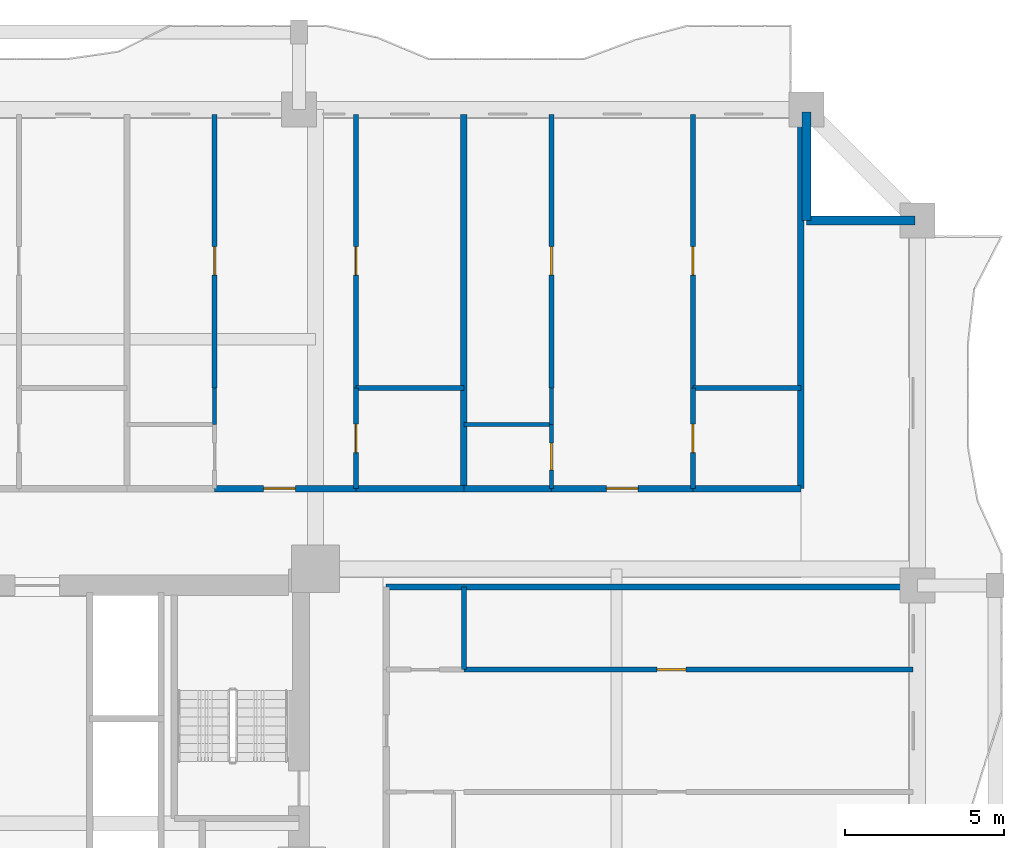
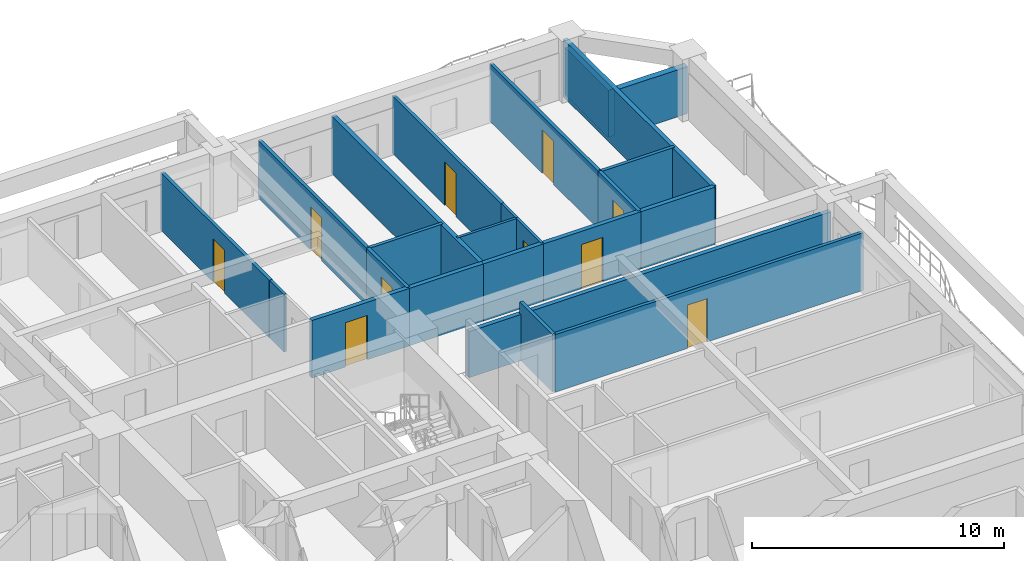
# One storey, part 8 of 16: 24 walls, 10 doors, 10 openings.
"""IFC4 building model written with IfcOpenShell, lengths in metres."""

from ifc_helpers import new_model, si_unit, direction, frame, frame_2d, origin, place, context, subcontext, project, spatial, rectangle, extrude, source, transform, mapped, material, layer, layer_set, type_object, element, fill, save


model = new_model("IFC4")

# Units and contexts
model_context = context("Model", 3, precision=1e-05, world=origin(), true_north=direction((0.0, 1.0)))
body_context = subcontext(model_context, "Body", "Model", "MODEL_VIEW")
ifc_project = project(units=[si_unit("LENGTHUNIT", "METRE"), si_unit("AREAUNIT", "SQUARE_METRE"), si_unit("VOLUMEUNIT", "CUBIC_METRE"), si_unit("PLANEANGLEUNIT", "RADIAN"), si_unit("MASSUNIT", "GRAM", prefix="KILO")], contexts=[model_context])

# Site, building, storey
site_placement = place(None, origin())
site = spatial("IfcSite", under=ifc_project, at=site_placement, CompositionType="ELEMENT")
building_placement = place(site_placement, origin())
building = spatial("IfcBuilding", under=site, at=building_placement, Name="Saelheon Loggia Tower", CompositionType="ELEMENT")
storey_placement = place(building_placement, frame((0.0, 0.0, 28.39990234375)))
storey = spatial("IfcBuildingStorey", under=building, at=storey_placement, Name="L08", CompositionType="ELEMENT", Elevation=28.39990234375)

# Walls
ifc_material_1 = material(Name="Architectural Precast Concrete C40/50", Category="concrete")
ifc_layer_1 = layer(ifc_material_1, 0.280029296875)
ifc_layer_set_1 = layer_set([ifc_layer_1], Name="Architectural Precast Concrete C40/50")
wall_type_1 = type_object("IfcWallType", Name="Wall_Ext_Loggia_280", PredefinedType="SOLIDWALL", material=ifc_layer_set_1)
for number, where, z_axis, x_axis, name in (
    (1, (60.5, 47.5, 0.0), (0.0, 0.0, 1.0), (0.0, 1.0, 0.0), "L08 Corner Notch Precast Wall NE1"),
    (2, (60.5, 47.5, 0.0), (0.0, 0.0, 1.0), (1.0, 0.0, 0.0), "L08 Corner Notch Precast Wall NE2"),
):
    element("IfcWall", number, at=place(storey_placement, frame(where, z_axis=z_axis, x_axis=x_axis)), inside=storey, type_object=wall_type_1, Name=name, PredefinedType="SOLIDWALL", context=body_context, shape_type="SweptSolid", body=[
        extrude(rectangle(XDim=3.419921875, YDim=0.280029296875, at=frame_2d((1.7099609375, 0.0))), origin(), (0.0, 0.0, 1.0), 2.280029296875),
    ])
ifc_material_2 = material(Name="Lightweight Autoclaved Aerated Concrete Block and Acoustic Gypsum", Category="concrete")
ifc_layer_2 = layer(ifc_material_2, 0.14990234375)
ifc_layer_set_2 = layer_set([ifc_layer_2], Name="Lightweight Autoclaved Aerated Concrete Block and Acoustic Gypsum")
wall_type_2 = type_object("IfcWallType", Name="Wall_Part_150", PredefinedType="PARTITIONING", material=ifc_layer_set_2)
wall_1_placement = place(storey_placement, frame((46.29833984375, 42.219970703125, 0.0), z_axis=(0.0, 0.0, 1.0), x_axis=(1.0, 0.0, 0.0)))
element("IfcWall", 3, at=wall_1_placement, inside=storey, type_object=wall_type_2, Name="L08 N Partition V31", PredefinedType="PARTITIONING", context=body_context, shape_type="SweptSolid", body=[
    extrude(rectangle(XDim=3.399169921875, YDim=0.14990234375, at=frame_2d((1.69970703125, 0.0))), origin(), (0.0, 0.0, 1.0), 2.7900390625),
])

# Wall, opening, door
wall_2_placement = place(storey_placement, frame((41.8369140625, 42.219970703125, 0.0), z_axis=(0.0, 0.0, 1.0), x_axis=(0.0, 1.0, 0.0)))
wall_2 = element("IfcWall", 4, at=wall_2_placement, inside=storey, type_object=wall_type_2, Name="L08 N Partition U34", PredefinedType="PARTITIONING", context=body_context, shape_type="SweptSolid", body=[
    extrude(rectangle(XDim=8.630126953125, YDim=0.14990234375, at=frame_2d((4.31494140625, 0.0))), origin(), (0.0, 0.0, 1.0), 2.7900390625),
])
opening_1_placement = place(wall_2_placement, frame((3.56298828125, 0.0, 0.0)))
opening_1 = element("IfcOpeningElement", 5, at=opening_1_placement, cuts=wall_2, Name="Opening D-IN2", PredefinedType="OPENING", context=body_context, shape_type="SweptSolid", body=[
    extrude(rectangle(XDim=0.89990234375, YDim=2.10009765625, at=frame_2d((0.449951171875, 1.050048828125))), frame((0.0, 0.0869140625, 0.0), z_axis=(0.0, -1.0, 0.0), x_axis=(1.0, 0.0, 0.0)), (0.0, 0.0, 1.0), 0.173828125),
])
ifc_material_3 = material(Name="Engineered Oak Flush Door", Category="timber")
door_type_1 = type_object("IfcDoorType", Name="Door_Int_900", OperationType="NOTDEFINED", PredefinedType="DOOR", material=ifc_material_3)
shared_shape_1 = source(origin(), body_context, "Body", "SweptSolid", [
    extrude(rectangle(XDim=0.89990234375, YDim=2.10009765625, at=frame_2d((0.449951171875, 1.050048828125))), frame((0.0, 0.02490234375, 0.0), z_axis=(0.0, -1.0, 0.0), x_axis=(1.0, 0.0, 0.0)), (0.0, 0.0, 1.0), 0.050048828125),
])
door_1_placement = place(opening_1_placement, origin())
door_1 = element("IfcDoor", 6, at=door_1_placement, inside=storey, type_object=door_type_1, Name="Unit U07 Bedroom 2 Door", OperationType="SINGLE_SWING_LEFT", OverallHeight=2.10009765625, OverallWidth=0.89990234375, PredefinedType="DOOR", context=body_context, shape_type="MappedRepresentation", body=[
    mapped(shared_shape_1, transform((0.0, 0.0, 0.0), scale=1.0)),
])
fill(opening_1, door_1)

wall_3_placement = place(storey_placement, frame((46.29833984375, 39.050048828125, 0.0), z_axis=(0.0, 0.0, 1.0), x_axis=(0.0, 1.0, 0.0)))
wall_3 = element("IfcWall", 7, at=wall_3_placement, inside=storey, type_object=wall_type_2, Name="L08 N Partition U35", PredefinedType="PARTITIONING", context=body_context, shape_type="SweptSolid", body=[
    extrude(rectangle(XDim=3.169921875, YDim=0.14990234375, at=frame_2d((1.5849609375, 0.0))), origin(), (0.0, 0.0, 1.0), 2.7900390625),
])
opening_2_placement = place(wall_3_placement, frame((1.135009765625, 0.0, 0.0)))
opening_2 = element("IfcOpeningElement", 8, at=opening_2_placement, cuts=wall_3, Name="Opening D-IN2", PredefinedType="OPENING", context=body_context, shape_type="SweptSolid", body=[
    extrude(rectangle(XDim=0.89990234375, YDim=2.10009765625, at=frame_2d((0.449951171875, 1.050048828125))), frame((0.0, 0.0869140625, 0.0), z_axis=(0.0, -1.0, 0.0), x_axis=(1.0, 0.0, 0.0)), (0.0, 0.0, 1.0), 0.173828125),
])
door_2_placement = place(opening_2_placement, origin())
door_2 = element("IfcDoor", 9, at=door_2_placement, inside=storey, type_object=door_type_1, Name="Unit U07 Kitchen Door", OperationType="SINGLE_SWING_RIGHT", OverallHeight=2.10009765625, OverallWidth=0.89990234375, PredefinedType="DOOR", context=body_context, shape_type="MappedRepresentation", body=[
    mapped(shared_shape_1, transform((0.0, 0.0, 0.0), scale=1.0)),
])
fill(opening_2, door_2)

wall_4_placement = place(storey_placement, frame((46.29833984375, 42.219970703125, 0.0), z_axis=(0.0, 0.0, 1.0), x_axis=(0.0, 1.0, 0.0)))
wall_4 = element("IfcWall", 10, at=wall_4_placement, inside=storey, type_object=wall_type_2, Name="L08 N Partition U36", PredefinedType="PARTITIONING", context=body_context, shape_type="SweptSolid", body=[
    extrude(rectangle(XDim=8.630126953125, YDim=0.14990234375, at=frame_2d((4.31494140625, 0.0))), origin(), (0.0, 0.0, 1.0), 2.7900390625),
])
opening_3_placement = place(wall_4_placement, frame((3.56298828125, 0.0, 0.0)))
opening_3 = element("IfcOpeningElement", 11, at=opening_3_placement, cuts=wall_4, Name="Opening D-IN2", PredefinedType="OPENING", context=body_context, shape_type="SweptSolid", body=[
    extrude(rectangle(XDim=0.89990234375, YDim=2.10009765625, at=frame_2d((0.449951171875, 1.050048828125))), frame((0.0, 0.0869140625, 0.0), z_axis=(0.0, -1.0, 0.0), x_axis=(1.0, 0.0, 0.0)), (0.0, 0.0, 1.0), 0.173828125),
])
door_3_placement = place(opening_3_placement, origin())
door_3 = element("IfcDoor", 12, at=door_3_placement, inside=storey, type_object=door_type_1, Name="Unit U07 Bedroom 1 Door", OperationType="SINGLE_SWING_LEFT", OverallHeight=2.10009765625, OverallWidth=0.89990234375, PredefinedType="DOOR", context=body_context, shape_type="MappedRepresentation", body=[
    mapped(shared_shape_1, transform((0.0, 0.0, 0.0), scale=1.0)),
])
fill(opening_3, door_3)

# Wall
wall_5_placement = place(storey_placement, frame((56.9208984375, 42.219970703125, 0.0), z_axis=(0.0, 0.0, 1.0), x_axis=(1.0, 0.0, 0.0)))
element("IfcWall", 13, at=wall_5_placement, inside=storey, type_object=wall_type_2, Name="L08 N Partition V42", PredefinedType="PARTITIONING", context=body_context, shape_type="SweptSolid", body=[
    extrude(rectangle(XDim=3.399169921875, YDim=0.14990234375, at=frame_2d((1.69970703125, 0.0))), origin(), (0.0, 0.0, 1.0), 2.7900390625),
])

# Wall, opening, door
wall_6_placement = place(storey_placement, frame((52.45947265625, 42.219970703125, 0.0), z_axis=(0.0, 0.0, 1.0), x_axis=(0.0, 1.0, 0.0)))
wall_6 = element("IfcWall", 14, at=wall_6_placement, inside=storey, type_object=wall_type_2, Name="L08 N Partition U45", PredefinedType="PARTITIONING", context=body_context, shape_type="SweptSolid", body=[
    extrude(rectangle(XDim=8.630126953125, YDim=0.14990234375, at=frame_2d((4.31494140625, 0.0))), origin(), (0.0, 0.0, 1.0), 2.7900390625),
])
opening_4_placement = place(wall_6_placement, frame((3.56298828125, 0.0, 0.0)))
opening_4 = element("IfcOpeningElement", 15, at=opening_4_placement, cuts=wall_6, Name="Opening D-IN2", PredefinedType="OPENING", context=body_context, shape_type="SweptSolid", body=[
    extrude(rectangle(XDim=0.89990234375, YDim=2.10009765625, at=frame_2d((0.449951171875, 1.050048828125))), frame((0.0, 0.0869140625, 0.0), z_axis=(0.0, -1.0, 0.0), x_axis=(1.0, 0.0, 0.0)), (0.0, 0.0, 1.0), 0.173828125),
])
door_4_placement = place(opening_4_placement, origin())
door_4 = element("IfcDoor", 16, at=door_4_placement, inside=storey, type_object=door_type_1, Name="Unit U08 Bedroom 2 Door", OperationType="SINGLE_SWING_RIGHT", OverallHeight=2.10009765625, OverallWidth=0.89990234375, PredefinedType="DOOR", context=body_context, shape_type="MappedRepresentation", body=[
    mapped(shared_shape_1, transform((0.0, 0.0, 0.0), scale=1.0)),
])
fill(opening_4, door_4)

wall_7_placement = place(storey_placement, frame((56.9208984375, 39.050048828125, 0.0), z_axis=(0.0, 0.0, 1.0), x_axis=(0.0, 1.0, 0.0)))
wall_7 = element("IfcWall", 17, at=wall_7_placement, inside=storey, type_object=wall_type_2, Name="L08 N Partition U46", PredefinedType="PARTITIONING", context=body_context, shape_type="SweptSolid", body=[
    extrude(rectangle(XDim=3.169921875, YDim=0.14990234375, at=frame_2d((1.5849609375, 0.0))), origin(), (0.0, 0.0, 1.0), 2.7900390625),
])
opening_5_placement = place(wall_7_placement, frame((1.135009765625, 0.0, 0.0)))
opening_5 = element("IfcOpeningElement", 18, at=opening_5_placement, cuts=wall_7, Name="Opening D-IN2", PredefinedType="OPENING", context=body_context, shape_type="SweptSolid", body=[
    extrude(rectangle(XDim=0.89990234375, YDim=2.10009765625, at=frame_2d((0.449951171875, 1.050048828125))), frame((0.0, 0.0869140625, 0.0), z_axis=(0.0, -1.0, 0.0), x_axis=(1.0, 0.0, 0.0)), (0.0, 0.0, 1.0), 0.173828125),
])
door_5_placement = place(opening_5_placement, origin())
door_5 = element("IfcDoor", 19, at=door_5_placement, inside=storey, type_object=door_type_1, Name="Unit U08 Kitchen Door", OperationType="SINGLE_SWING_LEFT", OverallHeight=2.10009765625, OverallWidth=0.89990234375, PredefinedType="DOOR", context=body_context, shape_type="MappedRepresentation", body=[
    mapped(shared_shape_1, transform((0.0, 0.0, 0.0), scale=1.0)),
])
fill(opening_5, door_5)

wall_8_placement = place(storey_placement, frame((56.9208984375, 42.219970703125, 0.0), z_axis=(0.0, 0.0, 1.0), x_axis=(0.0, 1.0, 0.0)))
wall_8 = element("IfcWall", 20, at=wall_8_placement, inside=storey, type_object=wall_type_2, Name="L08 N Partition U47", PredefinedType="PARTITIONING", context=body_context, shape_type="SweptSolid", body=[
    extrude(rectangle(XDim=8.630126953125, YDim=0.14990234375, at=frame_2d((4.31494140625, 0.0))), origin(), (0.0, 0.0, 1.0), 2.7900390625),
])
opening_6_placement = place(wall_8_placement, frame((3.56298828125, 0.0, 0.0)))
opening_6 = element("IfcOpeningElement", 21, at=opening_6_placement, cuts=wall_8, Name="Opening D-IN2", PredefinedType="OPENING", context=body_context, shape_type="SweptSolid", body=[
    extrude(rectangle(XDim=0.89990234375, YDim=2.10009765625, at=frame_2d((0.449951171875, 1.050048828125))), frame((0.0, 0.0869140625, 0.0), z_axis=(0.0, -1.0, 0.0), x_axis=(1.0, 0.0, 0.0)), (0.0, 0.0, 1.0), 0.173828125),
])
door_6_placement = place(opening_6_placement, origin())
door_6 = element("IfcDoor", 22, at=door_6_placement, inside=storey, type_object=door_type_1, Name="Unit U08 Bedroom 1 Door", OperationType="SINGLE_SWING_RIGHT", OverallHeight=2.10009765625, OverallWidth=0.89990234375, PredefinedType="DOOR", context=body_context, shape_type="MappedRepresentation", body=[
    mapped(shared_shape_1, transform((0.0, 0.0, 0.0), scale=1.0)),
])
fill(opening_6, door_6)

# Wall
wall_9_placement = place(storey_placement, frame((49.699951171875, 33.35009765625, 0.0), z_axis=(0.0, 0.0, 1.0), x_axis=(0.0, 1.0, 0.0)))
element("IfcWall", 23, at=wall_9_placement, inside=storey, type_object=wall_type_2, Name="L08 E Partition V17", PredefinedType="PARTITIONING", context=body_context, shape_type="SweptSolid", body=[
    extrude(rectangle(XDim=2.599853515625, YDim=0.14990234375, at=frame_2d((1.2998046875, 0.0))), origin(), (0.0, 0.0, 1.0), 2.7900390625),
])

# Wall, opening, door
wall_10_placement = place(storey_placement, frame((49.699951171875, 33.35009765625, 0.0), z_axis=(0.0, 0.0, 1.0), x_axis=(1.0, 0.0, 0.0)))
wall_10 = element("IfcWall", 24, at=wall_10_placement, inside=storey, type_object=wall_type_2, Name="L08 E Partition U21", PredefinedType="PARTITIONING", context=body_context, shape_type="SweptSolid", body=[
    extrude(rectangle(XDim=14.150146484375, YDim=0.14990234375, at=frame_2d((7.0751953125, 0.0))), origin(), (0.0, 0.0, 1.0), 2.7900390625),
])
opening_7_placement = place(wall_10_placement, frame((6.093017578125, 0.0, 0.0)))
opening_7 = element("IfcOpeningElement", 25, at=opening_7_placement, cuts=wall_10, Name="Opening D-IN2", PredefinedType="OPENING", context=body_context, shape_type="SweptSolid", body=[
    extrude(rectangle(XDim=0.89990234375, YDim=2.10009765625, at=frame_2d((0.449951171875, 1.050048828125))), frame((0.0, 0.0869140625, 0.0), z_axis=(0.0, -1.0, 0.0), x_axis=(1.0, 0.0, 0.0)), (0.0, 0.0, 1.0), 0.173828125),
])
door_7_placement = place(opening_7_placement, origin())
door_7 = element("IfcDoor", 26, at=door_7_placement, inside=storey, type_object=door_type_1, Name="Unit U13 Bedroom 1 Door", OperationType="SINGLE_SWING_LEFT", OverallHeight=2.10009765625, OverallWidth=0.89990234375, PredefinedType="DOOR", context=body_context, shape_type="MappedRepresentation", body=[
    mapped(shared_shape_1, transform((0.0, 0.0, 0.0), scale=1.0)),
])
fill(opening_7, door_7)

# Wall
ifc_material_4 = material(Name="Double Acoustic Stud and Fireboard Partition", Category="gypsum")
ifc_layer_3 = layer(ifc_material_4, 0.199951171875)
ifc_layer_set_3 = layer_set([ifc_layer_3], Name="Double Acoustic Stud and Fireboard Partition")
wall_type_3 = type_object("IfcWallType", Name="Wall_Party_200", PredefinedType="PARTITIONING", material=ifc_layer_set_3)
wall_11_placement = place(storey_placement, frame((60.320068359375, 39.050048828125, 0.0), z_axis=(0.0, 0.0, 1.0), x_axis=(0.0, 1.0, 0.0)))
element("IfcWall", 27, at=wall_11_placement, inside=storey, type_object=wall_type_3, Name="L08 N Partition U02", PredefinedType="PARTITIONING", context=body_context, shape_type="SweptSolid", body=[
    extrude(rectangle(XDim=11.800048828125, YDim=0.199951171875, at=frame_2d((5.89990234375, 0.0))), origin(), (0.0, 0.0, 1.0), 2.7900390625),
])

# Wall, opening, door
wall_12_placement = place(storey_placement, frame((41.8369140625, 39.050048828125, 0.0), z_axis=(0.0, 0.0, 1.0), x_axis=(1.0, 0.0, 0.0)))
wall_12 = element("IfcWall", 28, at=wall_12_placement, inside=storey, type_object=wall_type_3, Name="L08 N Partition V28", PredefinedType="PARTITIONING", context=body_context, shape_type="SweptSolid", body=[
    extrude(rectangle(XDim=4.46142578125, YDim=0.199951171875, at=frame_2d((2.230712890625, 0.0))), origin(), (0.0, 0.0, 1.0), 2.7900390625),
])
opening_8_placement = place(wall_12_placement, frame((1.546875, 0.0, 0.0)))
opening_8 = element("IfcOpeningElement", 29, at=opening_8_placement, cuts=wall_12, Name="Opening D-FD1", PredefinedType="OPENING", context=body_context, shape_type="SweptSolid", body=[
    extrude(rectangle(XDim=1.0, YDim=2.14990234375, at=frame_2d((0.5, 1.074951171875))), frame((0.0, 0.112060546875, 0.0), z_axis=(0.0, -1.0, 0.0), x_axis=(1.0, 0.0, 0.0)), (0.0, 0.0, 1.0), 0.223876953125),
])
ifc_material_5 = material(Name="Fire-Rated Engineered Timber Entrance Door", Category="wood")
door_type_2 = type_object("IfcDoorType", Name="Door_Flat_FD30S", OperationType="NOTDEFINED", PredefinedType="DOOR", material=ifc_material_5)
shared_shape_2 = source(origin(), body_context, "Body", "SweptSolid", [
    extrude(rectangle(XDim=1.0, YDim=2.14990234375, at=frame_2d((0.5, 1.074951171875))), frame((0.0, 0.02490234375, 0.0), z_axis=(0.0, -1.0, 0.0), x_axis=(1.0, 0.0, 0.0)), (0.0, 0.0, 1.0), 0.050048828125),
])
door_8_placement = place(opening_8_placement, origin())
door_8 = element("IfcDoor", 30, at=door_8_placement, inside=storey, type_object=door_type_2, Name="Unit U07 Entrance Door", OperationType="SINGLE_SWING_LEFT", OverallHeight=2.14990234375, OverallWidth=1.0, PredefinedType="DOOR", context=body_context, shape_type="MappedRepresentation", body=[
    mapped(shared_shape_2, transform((0.0, 0.0, 0.0), scale=1.0)),
])
fill(opening_8, door_8)

# Walls
wall_13_placement = place(storey_placement, frame((46.29833984375, 39.050048828125, 0.0), z_axis=(0.0, 0.0, 1.0), x_axis=(1.0, 0.0, 0.0)))
element("IfcWall", 31, at=wall_13_placement, inside=storey, type_object=wall_type_3, Name="L08 N Partition V29", PredefinedType="PARTITIONING", context=body_context, shape_type="SweptSolid", body=[
    extrude(rectangle(XDim=3.399169921875, YDim=0.199951171875, at=frame_2d((1.69970703125, 0.0))), origin(), (0.0, 0.0, 1.0), 2.7900390625),
])
wall_14_placement = place(storey_placement, frame((49.697509765625, 39.050048828125, 0.0), z_axis=(0.0, 0.0, 1.0), x_axis=(0.0, 1.0, 0.0)))
element("IfcWall", 32, at=wall_14_placement, inside=storey, type_object=wall_type_3, Name="L08 N Partition U37", PredefinedType="PARTITIONING", context=body_context, shape_type="SweptSolid", body=[
    extrude(rectangle(XDim=11.800048828125, YDim=0.199951171875, at=frame_2d((5.89990234375, 0.0))), origin(), (0.0, 0.0, 1.0), 2.7900390625),
])
wall_15_placement = place(storey_placement, frame((49.697509765625, 39.050048828125, 0.0), z_axis=(0.0, 0.0, 1.0), x_axis=(1.0, 0.0, 0.0)))
element("IfcWall", 33, at=wall_15_placement, inside=storey, type_object=wall_type_3, Name="L08 N Partition V38", PredefinedType="PARTITIONING", context=body_context, shape_type="SweptSolid", body=[
    extrude(rectangle(XDim=2.761962890625, YDim=0.199951171875, at=frame_2d((1.380859375, 0.0))), origin(), (0.0, 0.0, 1.0), 2.7900390625),
])

# Wall, opening, door
wall_16_placement = place(storey_placement, frame((52.45947265625, 39.050048828125, 0.0), z_axis=(0.0, 0.0, 1.0), x_axis=(1.0, 0.0, 0.0)))
wall_16 = element("IfcWall", 34, at=wall_16_placement, inside=storey, type_object=wall_type_3, Name="L08 N Partition V39", PredefinedType="PARTITIONING", context=body_context, shape_type="SweptSolid", body=[
    extrude(rectangle(XDim=4.46142578125, YDim=0.199951171875, at=frame_2d((2.230712890625, 0.0))), origin(), (0.0, 0.0, 1.0), 2.7900390625),
])
opening_9_placement = place(wall_16_placement, frame((1.730712890625, 0.0, 0.0)))
opening_9 = element("IfcOpeningElement", 35, at=opening_9_placement, cuts=wall_16, Name="Opening D-FD1", PredefinedType="OPENING", context=body_context, shape_type="SweptSolid", body=[
    extrude(rectangle(XDim=1.0, YDim=2.14990234375, at=frame_2d((0.5, 1.074951171875))), frame((0.0, 0.112060546875, 0.0), z_axis=(0.0, -1.0, 0.0), x_axis=(1.0, 0.0, 0.0)), (0.0, 0.0, 1.0), 0.223876953125),
])
door_9_placement = place(opening_9_placement, origin())
door_9 = element("IfcDoor", 36, at=door_9_placement, inside=storey, type_object=door_type_2, Name="Unit U08 Entrance Door", OperationType="SINGLE_SWING_RIGHT", OverallHeight=2.14990234375, OverallWidth=1.0, PredefinedType="DOOR", context=body_context, shape_type="MappedRepresentation", body=[
    mapped(shared_shape_2, transform((0.0, 0.0, 0.0), scale=1.0)),
])
fill(opening_9, door_9)

# Walls
wall_17_placement = place(storey_placement, frame((56.9208984375, 39.050048828125, 0.0), z_axis=(0.0, 0.0, 1.0), x_axis=(1.0, 0.0, 0.0)))
element("IfcWall", 37, at=wall_17_placement, inside=storey, type_object=wall_type_3, Name="L08 N Partition V40", PredefinedType="PARTITIONING", context=body_context, shape_type="SweptSolid", body=[
    extrude(rectangle(XDim=3.399169921875, YDim=0.199951171875, at=frame_2d((1.69970703125, 0.0))), origin(), (0.0, 0.0, 1.0), 2.7900390625),
])
wall_18_placement = place(storey_placement, frame((47.25, 35.949951171875, 0.0), z_axis=(0.0, 0.0, 1.0), x_axis=(1.0, 0.0, 0.0)))
element("IfcWall", 38, at=wall_18_placement, inside=storey, type_object=wall_type_3, Name="L08 E Partition U02", PredefinedType="PARTITIONING", context=body_context, shape_type="SweptSolid", body=[
    extrude(rectangle(XDim=16.60009765625, YDim=0.199951171875, at=frame_2d((8.300048828125, 0.0))), origin(), (0.0, 0.0, 1.0), 2.239990234375),
])
ifc_material_6 = material(Name="Moisture-Resistant Cement Board Partition", Category="gypsum")
ifc_layer_4 = layer(ifc_material_6, 0.1201171875)
ifc_layer_set_4 = layer_set([ifc_layer_4], Name="Moisture-Resistant Cement Board Partition")
wall_type_4 = type_object("IfcWallType", Name="Wall_WetPart_120", PredefinedType="PARTITIONING", material=ifc_layer_set_4)
wall_19_placement = place(storey_placement, frame((41.8369140625, 41.070068359375, 0.0), z_axis=(0.0, 0.0, 1.0), x_axis=(0.0, 1.0, 0.0)))
element("IfcWall", 39, at=wall_19_placement, inside=storey, type_object=wall_type_4, Name="L08 N Partition U33", PredefinedType="PARTITIONING", context=body_context, shape_type="SweptSolid", body=[
    extrude(rectangle(XDim=1.14990234375, YDim=0.1201171875, at=frame_2d((0.574951171875, 0.0))), origin(), (0.0, 0.0, 1.0), 2.7900390625),
])
wall_20_placement = place(storey_placement, frame((49.697509765625, 41.070068359375, 0.0), z_axis=(0.0, 0.0, 1.0), x_axis=(1.0, 0.0, 0.0)))
element("IfcWall", 40, at=wall_20_placement, inside=storey, type_object=wall_type_4, Name="L08 N Partition V41", PredefinedType="PARTITIONING", context=body_context, shape_type="SweptSolid", body=[
    extrude(rectangle(XDim=2.761962890625, YDim=0.1201171875, at=frame_2d((1.380859375, 0.0))), origin(), (0.0, 0.0, 1.0), 2.7900390625),
])

# Wall, opening, door
wall_21_placement = place(storey_placement, frame((52.45947265625, 39.050048828125, 0.0), z_axis=(0.0, 0.0, 1.0), x_axis=(0.0, 1.0, 0.0)))
wall_21 = element("IfcWall", 41, at=wall_21_placement, inside=storey, type_object=wall_type_4, Name="L08 N Partition U43", PredefinedType="PARTITIONING", context=body_context, shape_type="SweptSolid", body=[
    extrude(rectangle(XDim=2.02001953125, YDim=0.1201171875, at=frame_2d((1.010009765625, 0.0))), origin(), (0.0, 0.0, 1.0), 2.7900390625),
])
opening_10_placement = place(wall_21_placement, frame((0.5849609375, 0.0, 0.0)))
opening_10 = element("IfcOpeningElement", 42, at=opening_10_placement, cuts=wall_21, Name="Opening D-BT1", PredefinedType="OPENING", context=body_context, shape_type="SweptSolid", body=[
    extrude(rectangle(XDim=0.85009765625, YDim=2.050048828125, at=frame_2d((0.425048828125, 1.02490234375))), frame((0.0, 0.072021484375, 0.0), z_axis=(0.0, -1.0, 0.0), x_axis=(1.0, 0.0, 0.0)), (0.0, 0.0, 1.0), 0.14404296875),
])
ifc_material_7 = material(Name="Moisture-Resistant Laminate Timber Door", Category="wood")
door_type_3 = type_object("IfcDoorType", Name="Door_Bath_850", OperationType="NOTDEFINED", PredefinedType="DOOR", material=ifc_material_7)
shared_shape_3 = source(origin(), body_context, "Body", "SweptSolid", [
    extrude(rectangle(XDim=0.85009765625, YDim=2.050048828125, at=frame_2d((0.425048828125, 1.02490234375))), frame((0.0, 0.02490234375, 0.0), z_axis=(0.0, -1.0, 0.0), x_axis=(1.0, 0.0, 0.0)), (0.0, 0.0, 1.0), 0.050048828125),
])
door_10_placement = place(opening_10_placement, origin())
door_10 = element("IfcDoor", 43, at=door_10_placement, inside=storey, type_object=door_type_3, Name="Unit U08 Bathroom Door", OperationType="SINGLE_SWING_LEFT", OverallHeight=2.050048828125, OverallWidth=0.85009765625, PredefinedType="DOOR", context=body_context, shape_type="MappedRepresentation", body=[
    mapped(shared_shape_3, transform((0.0, 0.0, 0.0), scale=1.0)),
])
fill(opening_10, door_10)

# Wall
wall_22_placement = place(storey_placement, frame((52.45947265625, 41.070068359375, 0.0), z_axis=(0.0, 0.0, 1.0), x_axis=(0.0, 1.0, 0.0)))
element("IfcWall", 44, at=wall_22_placement, inside=storey, type_object=wall_type_4, Name="L08 N Partition U44", PredefinedType="PARTITIONING", context=body_context, shape_type="SweptSolid", body=[
    extrude(rectangle(XDim=1.14990234375, YDim=0.1201171875, at=frame_2d((0.574951171875, 0.0))), origin(), (0.0, 0.0, 1.0), 2.7900390625),
])

save(model, "model.ifc")
